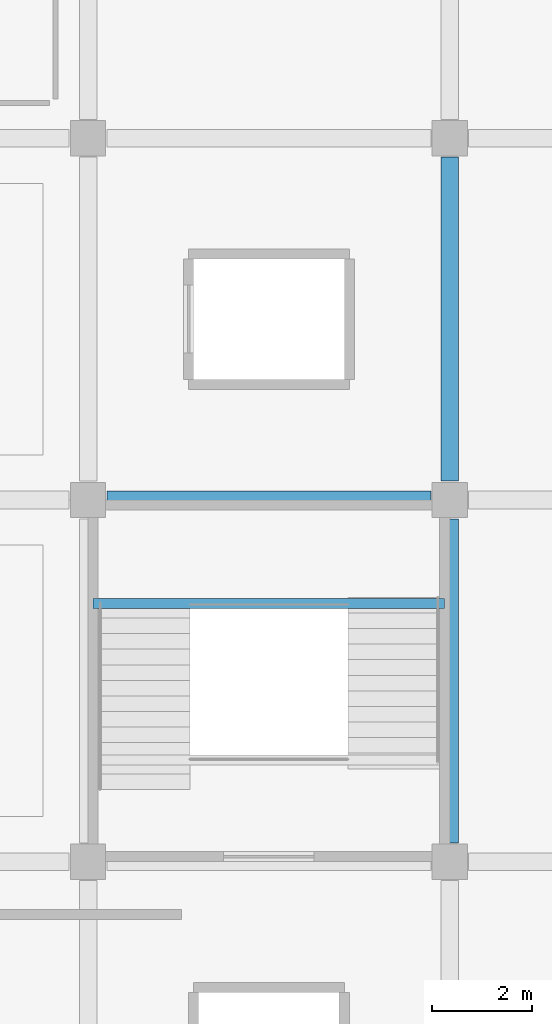
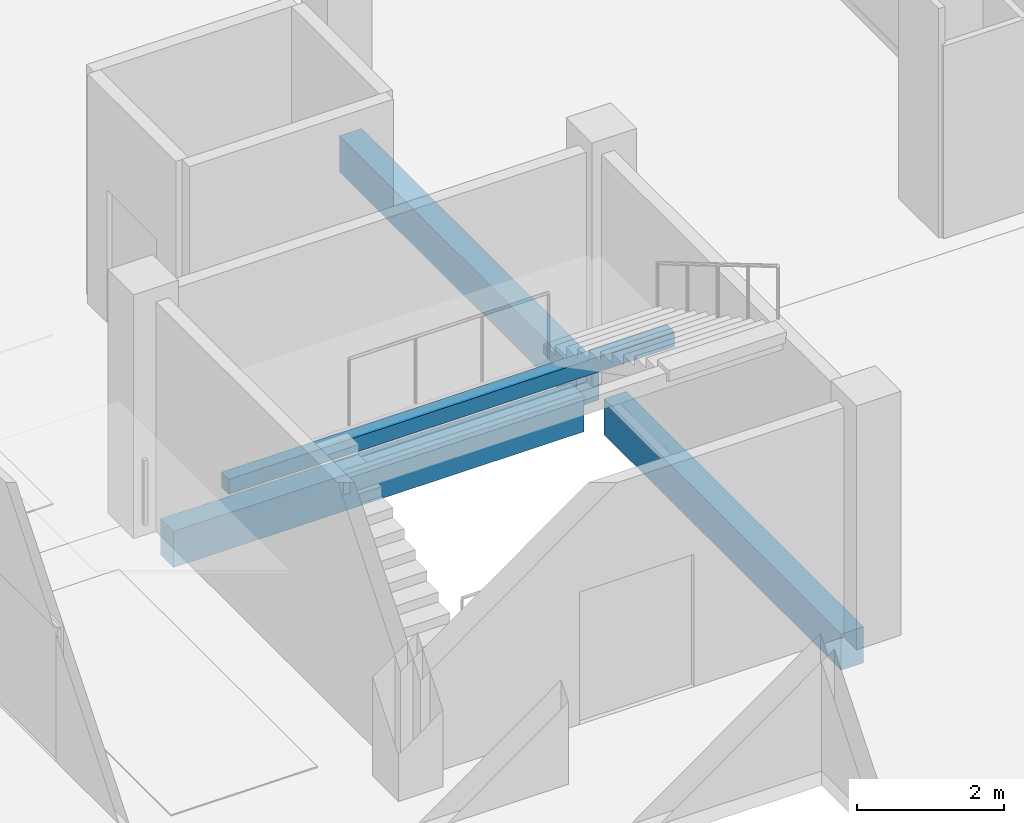
# One storey, part 42 of 91: 4 beams.
"""IFC4 building model written with IfcOpenShell, lengths in metres."""

from ifc_helpers import new_model, si_unit, direction, frame, origin, origin_2d, place, context, subcontext, project, spatial, rectangle, extrude, material, material_profile, profile_set, type_object, element, save


model = new_model("IFC4")

# Units and contexts
model_context = context("Model", 3, precision=1e-05, world=origin(), true_north=direction((0.0, 1.0)))
body_context = subcontext(model_context, "Body", "Model", "MODEL_VIEW")
ifc_project = project(units=[si_unit("LENGTHUNIT", "METRE"), si_unit("AREAUNIT", "SQUARE_METRE"), si_unit("VOLUMEUNIT", "CUBIC_METRE"), si_unit("PLANEANGLEUNIT", "RADIAN"), si_unit("MASSUNIT", "GRAM", prefix="KILO")], contexts=[model_context])

# Site, building, storey
site_placement = place(None, origin())
site = spatial("IfcSite", under=ifc_project, at=site_placement, CompositionType="ELEMENT")
building_placement = place(site_placement, origin())
building = spatial("IfcBuilding", under=site, at=building_placement, Name="Kangsadwip Square Police Headquarters", CompositionType="ELEMENT")
storey_placement = place(building_placement, frame((0.0, 0.0, 13.5)))
storey = spatial("IfcBuildingStorey", under=building, at=storey_placement, Name="L03", CompositionType="ELEMENT", Elevation=13.5)

# Beams
ifc_material_1 = material(Name="Concrete M35 (35 MPa)", Category="concrete")
ifc_material_profile_1 = material_profile(ifc_material_1, rectangle(XDim=0.35009765625, YDim=0.60009765625, at=origin_2d()), Name="RC BM 600X350")
ifc_profile_set_1 = profile_set([ifc_material_profile_1], Name="Concrete M35 (35 MPa)")
beam_type_1 = type_object("IfcBeamType", Name="RcBeam600x350", PredefinedType="BEAM", material=ifc_profile_set_1)
for number, where, z_axis, x_axis, name in (
    (1, (151.574951171875, 64.800048828125, -0.5400390625), (1.0, 0.0, 0.0), (0.0, 1.0, 0.0), "Beam BM-L03-X-21-09"),
    (2, (158.39990234375, 57.97509765625, -0.5400390625), (0.0, 1.0, 0.0), (-1.0, 0.0, 0.0), "Beam BM-L03-Y-22-08"),
    (3, (158.39990234375, 65.175048828125, -0.5400390625), (0.0, 1.0, 0.0), (-1.0, 0.0, 0.0), "Beam BM-L03-Y-22-09"),
):
    element("IfcBeam", number, at=place(storey_placement, frame(where, z_axis=z_axis, x_axis=x_axis)), inside=storey, type_object=beam_type_1, Name=name, PredefinedType="BEAM", context=body_context, shape_type="SweptSolid", body=[
        extrude(rectangle(XDim=0.35009765625, YDim=0.60009765625, at=origin_2d()), origin(), (0.0, 0.0, 1.0), 6.449951171875),
    ])
ifc_material_2 = material(Name="Concrete M30 (30 MPa)", Category="concrete")
ifc_material_profile_2 = material_profile(ifc_material_2, rectangle(XDim=0.199951171875, YDim=0.25, at=origin_2d()), Name="RC LNT 250X200")
ifc_profile_set_2 = profile_set([ifc_material_profile_2], Name="Concrete M30 (30 MPa)")
beam_type_2 = type_object("IfcBeamType", Name="RcLintel250x200", PredefinedType="LINTEL", material=ifc_profile_set_2)
beam_placement = place(storey_placement, frame((151.300048828125, 62.739990234375, 1.801025390625), z_axis=(1.0, 0.0, 0.0), x_axis=(0.0, 1.0, 0.0)))
element("IfcBeam", 4, at=beam_placement, inside=storey, type_object=beam_type_2, Name="Stair Carriage and Landing Beam BM-ST-L03-048", PredefinedType="BEAM", context=body_context, shape_type="SweptSolid", body=[
    extrude(rectangle(XDim=0.199951171875, YDim=0.25, at=origin_2d()), origin(), (0.0, 0.0, 1.0), 7.0),
])

save(model, "model.ifc")
